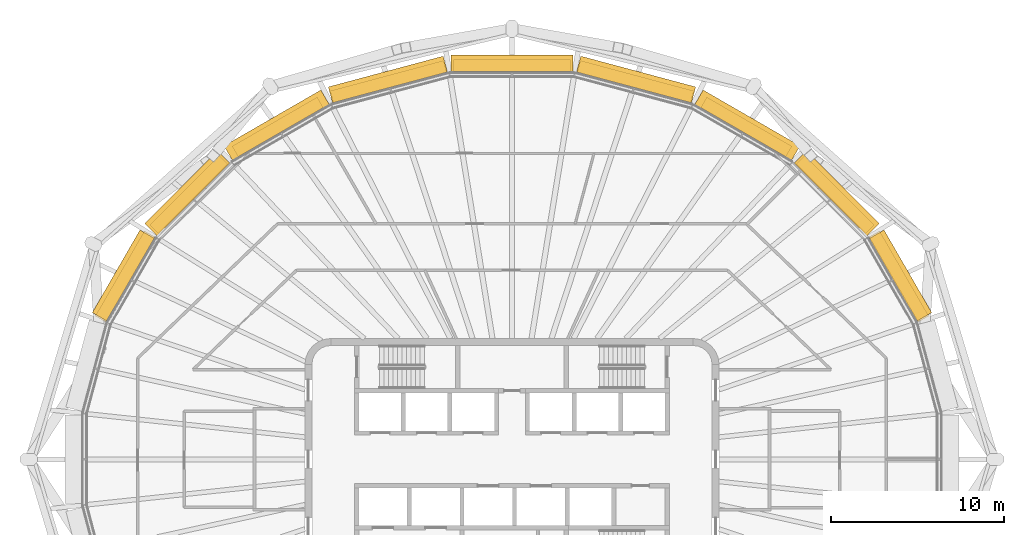
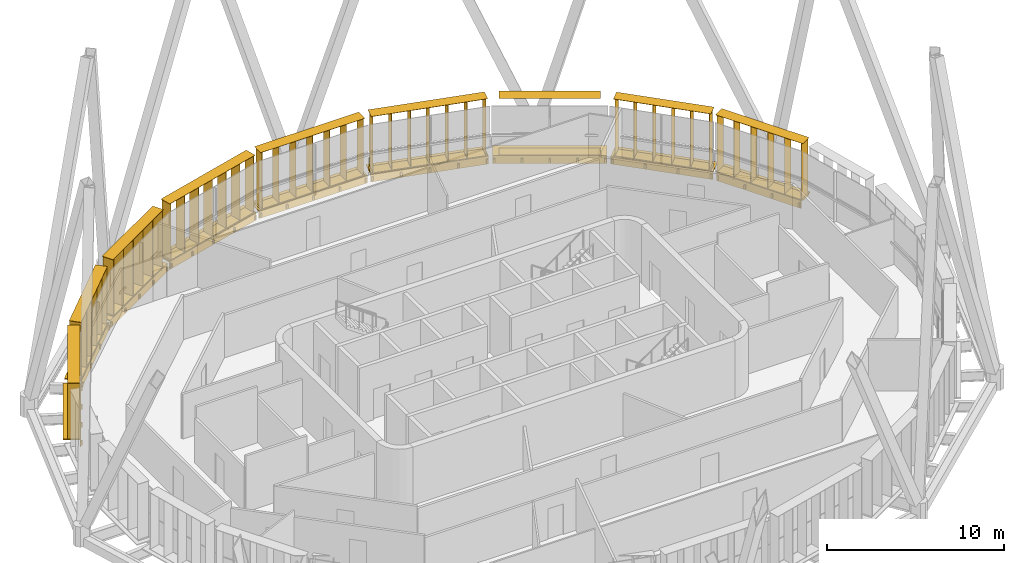
# One storey, part 18 of 18: 18 shading devices.
"""IFC4 building model written with IfcOpenShell, lengths in metres."""

from ifc_helpers import new_model, si_unit, direction, frame, origin, origin_2d, place, context, subcontext, project, spatial, rectangle, extrude, material, type_object, element, save


model = new_model("IFC4")

# Units and contexts
model_context = context("Model", 3, precision=1e-05, world=origin(), true_north=direction((0.0, 1.0)))
body_context = subcontext(model_context, "Body", "Model", "MODEL_VIEW")
ifc_project = project(units=[si_unit("LENGTHUNIT", "METRE"), si_unit("AREAUNIT", "SQUARE_METRE"), si_unit("VOLUMEUNIT", "CUBIC_METRE"), si_unit("PLANEANGLEUNIT", "RADIAN"), si_unit("MASSUNIT", "GRAM", prefix="KILO")], contexts=[model_context])

# Site, building, storey
site_placement = place(None, origin())
site = spatial("IfcSite", under=ifc_project, at=site_placement, CompositionType="ELEMENT")
building_placement = place(site_placement, origin())
building = spatial("IfcBuilding", under=site, at=building_placement, Name="Sahrelin Media Tower", CompositionType="ELEMENT")
storey_placement = place(building_placement, frame((0.0, 0.0, 316.39990234375)))
storey = spatial("IfcBuildingStorey", under=building, at=storey_placement, Name="L70", CompositionType="ELEMENT", Elevation=316.39990234375)

# Shading devices
ifc_material = material(Name="Champagne anodised aluminium 6063-T6", Category="aluminium")
shading_device_type_1 = type_object("IfcShadingDeviceType", Name="Fin cassette", PredefinedType="USERDEFINED", material=ifc_material)
placement_1 = place(storey_placement, frame((22.0615234375, 10.3876953125, 0.0), z_axis=(0.0, 0.0, 1.0), x_axis=(0.500011000363, -0.866019052629, 0.0)))
element("IfcShadingDevice", 1, at=placement_1, inside=storey, type_object=shading_device_type_1, Name="L70:FIN:L70-02", ObjectType="FIN", PredefinedType="USERDEFINED", context=body_context, shape_type="SweptSolid", body=[
    extrude(rectangle(XDim=5.699951171875, YDim=0.699951171875, at=origin_2d()), frame((0.0, 0.419921875, 0.0)), (0.0, 0.0, 1.0), 0.02001953125),
    extrude(rectangle(XDim=5.699951171875, YDim=0.699951171875, at=origin_2d()), frame((0.0, 0.419921875, 3.89990234375)), (0.0, 0.0, 1.0), 0.02001953125),
    extrude(rectangle(XDim=0.02001953125, YDim=0.699951171875, at=origin_2d()), frame((-2.75, 0.419921875, 0.010009765625), z_axis=(0.0, 0.0, 1.0), x_axis=(1.0, 0.0, 0.0)), (0.0, 0.0, 1.0), 3.89990234375),
    extrude(rectangle(XDim=0.02001953125, YDim=0.699951171875, at=origin_2d()), frame((-1.64990234375, 0.419921875, 0.010009765625), z_axis=(0.0, 0.0, 1.0), x_axis=(1.0, 0.0, 0.0)), (0.0, 0.0, 1.0), 3.89990234375),
    extrude(rectangle(XDim=0.02001953125, YDim=0.699951171875, at=origin_2d()), frame((-0.550048828125, 0.419921875, 0.010009765625), z_axis=(0.0, 0.0, 1.0), x_axis=(1.0, 0.0, 0.0)), (0.0, 0.0, 1.0), 3.89990234375),
    extrude(rectangle(XDim=0.02001953125, YDim=0.699951171875, at=origin_2d()), frame((0.550048828125, 0.419921875, 0.010009765625), z_axis=(0.0, 0.0, 1.0), x_axis=(1.0, 0.0, 0.0)), (0.0, 0.0, 1.0), 3.89990234375),
    extrude(rectangle(XDim=0.02001953125, YDim=0.699951171875, at=origin_2d()), frame((1.64990234375, 0.419921875, 0.010009765625), z_axis=(0.0, 0.0, 1.0), x_axis=(1.0, 0.0, 0.0)), (0.0, 0.0, 1.0), 3.89990234375),
    extrude(rectangle(XDim=0.02001953125, YDim=0.699951171875, at=origin_2d()), frame((2.75, 0.419921875, 0.010009765625), z_axis=(0.0, 0.0, 1.0), x_axis=(1.0, 0.0, 0.0)), (0.0, 0.0, 1.0), 3.89990234375),
])
placement_2 = place(storey_placement, frame((18.447509765625, 15.04931640625, 0.0), z_axis=(0.0, 0.0, 1.0), x_axis=(0.707106781187, -0.707106781187, 0.0)))
element("IfcShadingDevice", 2, at=placement_2, inside=storey, type_object=shading_device_type_1, Name="L70:FIN:L70-03", ObjectType="FIN", PredefinedType="USERDEFINED", context=body_context, shape_type="SweptSolid", body=[
    extrude(rectangle(XDim=5.699951171875, YDim=0.699951171875, at=origin_2d()), frame((0.0, 0.419921875, 0.0)), (0.0, 0.0, 1.0), 0.02001953125),
    extrude(rectangle(XDim=5.699951171875, YDim=0.699951171875, at=origin_2d()), frame((0.0, 0.419921875, 3.89990234375)), (0.0, 0.0, 1.0), 0.02001953125),
    extrude(rectangle(XDim=0.02001953125, YDim=0.699951171875, at=origin_2d()), frame((-2.75, 0.419921875, 0.010009765625), z_axis=(0.0, 0.0, 1.0), x_axis=(1.0, 0.0, 0.0)), (0.0, 0.0, 1.0), 3.89990234375),
    extrude(rectangle(XDim=0.02001953125, YDim=0.699951171875, at=origin_2d()), frame((-1.64990234375, 0.419921875, 0.010009765625), z_axis=(0.0, 0.0, 1.0), x_axis=(1.0, 0.0, 0.0)), (0.0, 0.0, 1.0), 3.89990234375),
    extrude(rectangle(XDim=0.02001953125, YDim=0.699951171875, at=origin_2d()), frame((-0.550048828125, 0.419921875, 0.010009765625), z_axis=(0.0, 0.0, 1.0), x_axis=(1.0, 0.0, 0.0)), (0.0, 0.0, 1.0), 3.89990234375),
    extrude(rectangle(XDim=0.02001953125, YDim=0.699951171875, at=origin_2d()), frame((0.550048828125, 0.419921875, 0.010009765625), z_axis=(0.0, 0.0, 1.0), x_axis=(1.0, 0.0, 0.0)), (0.0, 0.0, 1.0), 3.89990234375),
    extrude(rectangle(XDim=0.02001953125, YDim=0.699951171875, at=origin_2d()), frame((1.64990234375, 0.419921875, 0.010009765625), z_axis=(0.0, 0.0, 1.0), x_axis=(1.0, 0.0, 0.0)), (0.0, 0.0, 1.0), 3.89990234375),
    extrude(rectangle(XDim=0.02001953125, YDim=0.699951171875, at=origin_2d()), frame((2.75, 0.419921875, 0.010009765625), z_axis=(0.0, 0.0, 1.0), x_axis=(1.0, 0.0, 0.0)), (0.0, 0.0, 1.0), 3.89990234375),
])
placement_3 = place(storey_placement, frame((13.372314453125, 18.902099609375, 0.0), z_axis=(0.0, 0.0, 1.0), x_axis=(0.866019052629, -0.500011000363, 0.0)))
element("IfcShadingDevice", 3, at=placement_3, inside=storey, type_object=shading_device_type_1, Name="L70:FIN:L70-04", ObjectType="FIN", PredefinedType="USERDEFINED", context=body_context, shape_type="SweptSolid", body=[
    extrude(rectangle(XDim=5.699951171875, YDim=0.699951171875, at=origin_2d()), frame((0.0, 0.419921875, 0.0)), (0.0, 0.0, 1.0), 0.02001953125),
    extrude(rectangle(XDim=5.699951171875, YDim=0.699951171875, at=origin_2d()), frame((0.0, 0.419921875, 3.89990234375)), (0.0, 0.0, 1.0), 0.02001953125),
    extrude(rectangle(XDim=0.02001953125, YDim=0.699951171875, at=origin_2d()), frame((-2.75, 0.419921875, 0.010009765625), z_axis=(0.0, 0.0, 1.0), x_axis=(1.0, 0.0, 0.0)), (0.0, 0.0, 1.0), 3.89990234375),
    extrude(rectangle(XDim=0.02001953125, YDim=0.699951171875, at=origin_2d()), frame((-1.64990234375, 0.419921875, 0.010009765625), z_axis=(0.0, 0.0, 1.0), x_axis=(1.0, 0.0, 0.0)), (0.0, 0.0, 1.0), 3.89990234375),
    extrude(rectangle(XDim=0.02001953125, YDim=0.699951171875, at=origin_2d()), frame((-0.550048828125, 0.419921875, 0.010009765625), z_axis=(0.0, 0.0, 1.0), x_axis=(1.0, 0.0, 0.0)), (0.0, 0.0, 1.0), 3.89990234375),
    extrude(rectangle(XDim=0.02001953125, YDim=0.699951171875, at=origin_2d()), frame((0.550048828125, 0.419921875, 0.010009765625), z_axis=(0.0, 0.0, 1.0), x_axis=(1.0, 0.0, 0.0)), (0.0, 0.0, 1.0), 3.89990234375),
    extrude(rectangle(XDim=0.02001953125, YDim=0.699951171875, at=origin_2d()), frame((1.64990234375, 0.419921875, 0.010009765625), z_axis=(0.0, 0.0, 1.0), x_axis=(1.0, 0.0, 0.0)), (0.0, 0.0, 1.0), 3.89990234375),
    extrude(rectangle(XDim=0.02001953125, YDim=0.699951171875, at=origin_2d()), frame((2.75, 0.419921875, 0.010009765625), z_axis=(0.0, 0.0, 1.0), x_axis=(1.0, 0.0, 0.0)), (0.0, 0.0, 1.0), 3.89990234375),
])
placement_4 = place(storey_placement, frame((7.0537109375, 21.489990234375, 0.0), z_axis=(0.0, 0.0, 1.0), x_axis=(0.965928857556, -0.258807731996, 0.0)))
element("IfcShadingDevice", 4, at=placement_4, inside=storey, type_object=shading_device_type_1, Name="L70:FIN:L70-05", ObjectType="FIN", PredefinedType="USERDEFINED", context=body_context, shape_type="SweptSolid", body=[
    extrude(rectangle(XDim=6.800048828125, YDim=0.699951171875, at=origin_2d()), frame((0.0, 0.419921875, 0.0)), (0.0, 0.0, 1.0), 0.02001953125),
    extrude(rectangle(XDim=6.800048828125, YDim=0.699951171875, at=origin_2d()), frame((0.0, 0.419921875, 3.89990234375)), (0.0, 0.0, 1.0), 0.02001953125),
    extrude(rectangle(XDim=0.02001953125, YDim=0.699951171875, at=origin_2d()), frame((-3.300048828125, 0.419921875, 0.010009765625), z_axis=(0.0, 0.0, 1.0), x_axis=(1.0, 0.0, 0.0)), (0.0, 0.0, 1.0), 3.89990234375),
    extrude(rectangle(XDim=0.02001953125, YDim=0.699951171875, at=origin_2d()), frame((-2.199951171875, 0.419921875, 0.010009765625), z_axis=(0.0, 0.0, 1.0), x_axis=(1.0, 0.0, 0.0)), (0.0, 0.0, 1.0), 3.89990234375),
    extrude(rectangle(XDim=0.02001953125, YDim=0.699951171875, at=origin_2d()), frame((-1.10009765625, 0.419921875, 0.010009765625), z_axis=(0.0, 0.0, 1.0), x_axis=(1.0, 0.0, 0.0)), (0.0, 0.0, 1.0), 3.89990234375),
    extrude(rectangle(XDim=0.02001953125, YDim=0.699951171875, at=origin_2d()), frame((0.0, 0.419921875, 0.010009765625), z_axis=(0.0, 0.0, 1.0), x_axis=(1.0, 0.0, 0.0)), (0.0, 0.0, 1.0), 3.89990234375),
    extrude(rectangle(XDim=0.02001953125, YDim=0.699951171875, at=origin_2d()), frame((1.10009765625, 0.419921875, 0.010009765625), z_axis=(0.0, 0.0, 1.0), x_axis=(1.0, 0.0, 0.0)), (0.0, 0.0, 1.0), 3.89990234375),
    extrude(rectangle(XDim=0.02001953125, YDim=0.699951171875, at=origin_2d()), frame((2.199951171875, 0.419921875, 0.010009765625), z_axis=(0.0, 0.0, 1.0), x_axis=(1.0, 0.0, 0.0)), (0.0, 0.0, 1.0), 3.89990234375),
    extrude(rectangle(XDim=0.02001953125, YDim=0.699951171875, at=origin_2d()), frame((3.300048828125, 0.419921875, 0.010009765625), z_axis=(0.0, 0.0, 1.0), x_axis=(1.0, 0.0, 0.0)), (0.0, 0.0, 1.0), 3.89990234375),
])
placement_5 = place(storey_placement, frame((0.0, 22.408203125, 0.0), z_axis=(0.0, 0.0, 1.0), x_axis=(1.0, 0.0, 0.0)))
element("IfcShadingDevice", 5, at=placement_5, inside=storey, type_object=shading_device_type_1, Name="L70:FIN:L70-06", ObjectType="FIN", PredefinedType="USERDEFINED", context=body_context, shape_type="SweptSolid", body=[
    extrude(rectangle(XDim=6.800048828125, YDim=0.699951171875, at=origin_2d()), frame((0.0, 0.419921875, 0.0)), (0.0, 0.0, 1.0), 0.02001953125),
    extrude(rectangle(XDim=6.800048828125, YDim=0.699951171875, at=origin_2d()), frame((0.0, 0.419921875, 3.89990234375)), (0.0, 0.0, 1.0), 0.02001953125),
    extrude(rectangle(XDim=0.02001953125, YDim=0.699951171875, at=origin_2d()), frame((-3.300048828125, 0.419921875, 0.010009765625), z_axis=(0.0, 0.0, 1.0), x_axis=(1.0, 0.0, 0.0)), (0.0, 0.0, 1.0), 3.89990234375),
    extrude(rectangle(XDim=0.02001953125, YDim=0.699951171875, at=origin_2d()), frame((-2.199951171875, 0.419921875, 0.010009765625), z_axis=(0.0, 0.0, 1.0), x_axis=(1.0, 0.0, 0.0)), (0.0, 0.0, 1.0), 3.89990234375),
    extrude(rectangle(XDim=0.02001953125, YDim=0.699951171875, at=origin_2d()), frame((-1.10009765625, 0.419921875, 0.010009765625), z_axis=(0.0, 0.0, 1.0), x_axis=(1.0, 0.0, 0.0)), (0.0, 0.0, 1.0), 3.89990234375),
    extrude(rectangle(XDim=0.02001953125, YDim=0.699951171875, at=origin_2d()), frame((0.0, 0.419921875, 0.010009765625), z_axis=(0.0, 0.0, 1.0), x_axis=(1.0, 0.0, 0.0)), (0.0, 0.0, 1.0), 3.89990234375),
    extrude(rectangle(XDim=0.02001953125, YDim=0.699951171875, at=origin_2d()), frame((1.10009765625, 0.419921875, 0.010009765625), z_axis=(0.0, 0.0, 1.0), x_axis=(1.0, 0.0, 0.0)), (0.0, 0.0, 1.0), 3.89990234375),
    extrude(rectangle(XDim=0.02001953125, YDim=0.699951171875, at=origin_2d()), frame((2.199951171875, 0.419921875, 0.010009765625), z_axis=(0.0, 0.0, 1.0), x_axis=(1.0, 0.0, 0.0)), (0.0, 0.0, 1.0), 3.89990234375),
    extrude(rectangle(XDim=0.02001953125, YDim=0.699951171875, at=origin_2d()), frame((3.300048828125, 0.419921875, 0.010009765625), z_axis=(0.0, 0.0, 1.0), x_axis=(1.0, 0.0, 0.0)), (0.0, 0.0, 1.0), 3.89990234375),
])
placement_6 = place(storey_placement, frame((-7.0537109375, 21.489990234375, 0.0), z_axis=(0.0, 0.0, 1.0), x_axis=(0.965928857556, 0.258807731996, 0.0)))
element("IfcShadingDevice", 6, at=placement_6, inside=storey, type_object=shading_device_type_1, Name="L70:FIN:L70-07", ObjectType="FIN", PredefinedType="USERDEFINED", context=body_context, shape_type="SweptSolid", body=[
    extrude(rectangle(XDim=6.800048828125, YDim=0.699951171875, at=origin_2d()), frame((0.0, 0.419921875, 0.0)), (0.0, 0.0, 1.0), 0.02001953125),
    extrude(rectangle(XDim=6.800048828125, YDim=0.699951171875, at=origin_2d()), frame((0.0, 0.419921875, 3.89990234375)), (0.0, 0.0, 1.0), 0.02001953125),
    extrude(rectangle(XDim=0.02001953125, YDim=0.699951171875, at=origin_2d()), frame((-3.300048828125, 0.419921875, 0.010009765625), z_axis=(0.0, 0.0, 1.0), x_axis=(1.0, 0.0, 0.0)), (0.0, 0.0, 1.0), 3.89990234375),
    extrude(rectangle(XDim=0.02001953125, YDim=0.699951171875, at=origin_2d()), frame((-2.199951171875, 0.419921875, 0.010009765625), z_axis=(0.0, 0.0, 1.0), x_axis=(1.0, 0.0, 0.0)), (0.0, 0.0, 1.0), 3.89990234375),
    extrude(rectangle(XDim=0.02001953125, YDim=0.699951171875, at=origin_2d()), frame((-1.10009765625, 0.419921875, 0.010009765625), z_axis=(0.0, 0.0, 1.0), x_axis=(1.0, 0.0, 0.0)), (0.0, 0.0, 1.0), 3.89990234375),
    extrude(rectangle(XDim=0.02001953125, YDim=0.699951171875, at=origin_2d()), frame((0.0, 0.419921875, 0.010009765625), z_axis=(0.0, 0.0, 1.0), x_axis=(1.0, 0.0, 0.0)), (0.0, 0.0, 1.0), 3.89990234375),
    extrude(rectangle(XDim=0.02001953125, YDim=0.699951171875, at=origin_2d()), frame((1.10009765625, 0.419921875, 0.010009765625), z_axis=(0.0, 0.0, 1.0), x_axis=(1.0, 0.0, 0.0)), (0.0, 0.0, 1.0), 3.89990234375),
    extrude(rectangle(XDim=0.02001953125, YDim=0.699951171875, at=origin_2d()), frame((2.199951171875, 0.419921875, 0.010009765625), z_axis=(0.0, 0.0, 1.0), x_axis=(1.0, 0.0, 0.0)), (0.0, 0.0, 1.0), 3.89990234375),
    extrude(rectangle(XDim=0.02001953125, YDim=0.699951171875, at=origin_2d()), frame((3.300048828125, 0.419921875, 0.010009765625), z_axis=(0.0, 0.0, 1.0), x_axis=(1.0, 0.0, 0.0)), (0.0, 0.0, 1.0), 3.89990234375),
])
placement_7 = place(storey_placement, frame((-13.372314453125, 18.902099609375, 0.0), z_axis=(0.0, 0.0, 1.0), x_axis=(0.866019052629, 0.500011000363, 0.0)))
element("IfcShadingDevice", 7, at=placement_7, inside=storey, type_object=shading_device_type_1, Name="L70:FIN:L70-08", ObjectType="FIN", PredefinedType="USERDEFINED", context=body_context, shape_type="SweptSolid", body=[
    extrude(rectangle(XDim=5.699951171875, YDim=0.699951171875, at=origin_2d()), frame((0.0, 0.419921875, 0.0)), (0.0, 0.0, 1.0), 0.02001953125),
    extrude(rectangle(XDim=5.699951171875, YDim=0.699951171875, at=origin_2d()), frame((0.0, 0.419921875, 3.89990234375)), (0.0, 0.0, 1.0), 0.02001953125),
    extrude(rectangle(XDim=0.02001953125, YDim=0.699951171875, at=origin_2d()), frame((-2.75, 0.419921875, 0.010009765625), z_axis=(0.0, 0.0, 1.0), x_axis=(1.0, 0.0, 0.0)), (0.0, 0.0, 1.0), 3.89990234375),
    extrude(rectangle(XDim=0.02001953125, YDim=0.699951171875, at=origin_2d()), frame((-1.64990234375, 0.419921875, 0.010009765625), z_axis=(0.0, 0.0, 1.0), x_axis=(1.0, 0.0, 0.0)), (0.0, 0.0, 1.0), 3.89990234375),
    extrude(rectangle(XDim=0.02001953125, YDim=0.699951171875, at=origin_2d()), frame((-0.550048828125, 0.419921875, 0.010009765625), z_axis=(0.0, 0.0, 1.0), x_axis=(1.0, 0.0, 0.0)), (0.0, 0.0, 1.0), 3.89990234375),
    extrude(rectangle(XDim=0.02001953125, YDim=0.699951171875, at=origin_2d()), frame((0.550048828125, 0.419921875, 0.010009765625), z_axis=(0.0, 0.0, 1.0), x_axis=(1.0, 0.0, 0.0)), (0.0, 0.0, 1.0), 3.89990234375),
    extrude(rectangle(XDim=0.02001953125, YDim=0.699951171875, at=origin_2d()), frame((1.64990234375, 0.419921875, 0.010009765625), z_axis=(0.0, 0.0, 1.0), x_axis=(1.0, 0.0, 0.0)), (0.0, 0.0, 1.0), 3.89990234375),
    extrude(rectangle(XDim=0.02001953125, YDim=0.699951171875, at=origin_2d()), frame((2.75, 0.419921875, 0.010009765625), z_axis=(0.0, 0.0, 1.0), x_axis=(1.0, 0.0, 0.0)), (0.0, 0.0, 1.0), 3.89990234375),
])
placement_8 = place(storey_placement, frame((-18.447509765625, 15.049560546875, 0.0), z_axis=(0.0, 0.0, 1.0), x_axis=(0.707106781187, 0.707106781187, 0.0)))
element("IfcShadingDevice", 8, at=placement_8, inside=storey, type_object=shading_device_type_1, Name="L70:FIN:L70-09", ObjectType="FIN", PredefinedType="USERDEFINED", context=body_context, shape_type="SweptSolid", body=[
    extrude(rectangle(XDim=5.699951171875, YDim=0.699951171875, at=origin_2d()), frame((0.0, 0.419921875, 0.0)), (0.0, 0.0, 1.0), 0.02001953125),
    extrude(rectangle(XDim=5.699951171875, YDim=0.699951171875, at=origin_2d()), frame((0.0, 0.419921875, 3.89990234375)), (0.0, 0.0, 1.0), 0.02001953125),
    extrude(rectangle(XDim=0.02001953125, YDim=0.699951171875, at=origin_2d()), frame((-2.75, 0.419921875, 0.010009765625), z_axis=(0.0, 0.0, 1.0), x_axis=(1.0, 0.0, 0.0)), (0.0, 0.0, 1.0), 3.89990234375),
    extrude(rectangle(XDim=0.02001953125, YDim=0.699951171875, at=origin_2d()), frame((-1.64990234375, 0.419921875, 0.010009765625), z_axis=(0.0, 0.0, 1.0), x_axis=(1.0, 0.0, 0.0)), (0.0, 0.0, 1.0), 3.89990234375),
    extrude(rectangle(XDim=0.02001953125, YDim=0.699951171875, at=origin_2d()), frame((-0.550048828125, 0.419921875, 0.010009765625), z_axis=(0.0, 0.0, 1.0), x_axis=(1.0, 0.0, 0.0)), (0.0, 0.0, 1.0), 3.89990234375),
    extrude(rectangle(XDim=0.02001953125, YDim=0.699951171875, at=origin_2d()), frame((0.550048828125, 0.419921875, 0.010009765625), z_axis=(0.0, 0.0, 1.0), x_axis=(1.0, 0.0, 0.0)), (0.0, 0.0, 1.0), 3.89990234375),
    extrude(rectangle(XDim=0.02001953125, YDim=0.699951171875, at=origin_2d()), frame((1.64990234375, 0.419921875, 0.010009765625), z_axis=(0.0, 0.0, 1.0), x_axis=(1.0, 0.0, 0.0)), (0.0, 0.0, 1.0), 3.89990234375),
    extrude(rectangle(XDim=0.02001953125, YDim=0.699951171875, at=origin_2d()), frame((2.75, 0.419921875, 0.010009765625), z_axis=(0.0, 0.0, 1.0), x_axis=(1.0, 0.0, 0.0)), (0.0, 0.0, 1.0), 3.89990234375),
])
placement_9 = place(storey_placement, frame((-22.0615234375, 10.387451171875, 0.0), z_axis=(0.0, 0.0, 1.0), x_axis=(0.500011000363, 0.866019052629, 0.0)))
element("IfcShadingDevice", 9, at=placement_9, inside=storey, type_object=shading_device_type_1, Name="L70:FIN:L70-10", ObjectType="FIN", PredefinedType="USERDEFINED", context=body_context, shape_type="SweptSolid", body=[
    extrude(rectangle(XDim=5.699951171875, YDim=0.699951171875, at=origin_2d()), frame((0.0, 0.419921875, 0.0)), (0.0, 0.0, 1.0), 0.02001953125),
    extrude(rectangle(XDim=5.699951171875, YDim=0.699951171875, at=origin_2d()), frame((0.0, 0.419921875, 3.89990234375)), (0.0, 0.0, 1.0), 0.02001953125),
    extrude(rectangle(XDim=0.02001953125, YDim=0.699951171875, at=origin_2d()), frame((-2.75, 0.419921875, 0.010009765625), z_axis=(0.0, 0.0, 1.0), x_axis=(1.0, 0.0, 0.0)), (0.0, 0.0, 1.0), 3.89990234375),
    extrude(rectangle(XDim=0.02001953125, YDim=0.699951171875, at=origin_2d()), frame((-1.64990234375, 0.419921875, 0.010009765625), z_axis=(0.0, 0.0, 1.0), x_axis=(1.0, 0.0, 0.0)), (0.0, 0.0, 1.0), 3.89990234375),
    extrude(rectangle(XDim=0.02001953125, YDim=0.699951171875, at=origin_2d()), frame((-0.550048828125, 0.419921875, 0.010009765625), z_axis=(0.0, 0.0, 1.0), x_axis=(1.0, 0.0, 0.0)), (0.0, 0.0, 1.0), 3.89990234375),
    extrude(rectangle(XDim=0.02001953125, YDim=0.699951171875, at=origin_2d()), frame((0.550048828125, 0.419921875, 0.010009765625), z_axis=(0.0, 0.0, 1.0), x_axis=(1.0, 0.0, 0.0)), (0.0, 0.0, 1.0), 3.89990234375),
    extrude(rectangle(XDim=0.02001953125, YDim=0.699951171875, at=origin_2d()), frame((1.64990234375, 0.419921875, 0.010009765625), z_axis=(0.0, 0.0, 1.0), x_axis=(1.0, 0.0, 0.0)), (0.0, 0.0, 1.0), 3.89990234375),
    extrude(rectangle(XDim=0.02001953125, YDim=0.699951171875, at=origin_2d()), frame((2.75, 0.419921875, 0.010009765625), z_axis=(0.0, 0.0, 1.0), x_axis=(1.0, 0.0, 0.0)), (0.0, 0.0, 1.0), 3.89990234375),
])
shading_device_type_2 = type_object("IfcShadingDeviceType", Name="Sunshade band", PredefinedType="USERDEFINED", material=ifc_material)
element("IfcShadingDevice", 10, at=placement_1, inside=storey, type_object=shading_device_type_2, Name="L70:SUN:L70-02", ObjectType="SUNSHADE", PredefinedType="USERDEFINED", context=body_context, shape_type="SweptSolid", body=[
    extrude(rectangle(XDim=5.525634765625, YDim=0.050048828125, at=origin_2d()), frame((0.0, 0.044921875, -0.55126953125)), (0.0, 0.0, 1.0), 0.471435546875),
    extrude(rectangle(XDim=5.525634765625, YDim=1.0, at=origin_2d()), frame((0.0, 0.52001953125, -0.080078125)), (0.0, 0.0, 1.0), 0.080078125),
    extrude(rectangle(XDim=0.10009765625, YDim=0.074951171875, at=origin_2d()), frame((-2.662841796875, -0.017578125, -0.47021484375)), (0.0, 0.0, 1.0), 0.300048828125),
    extrude(rectangle(XDim=0.10009765625, YDim=0.074951171875, at=origin_2d()), frame((-0.8876953125, -0.017578125, -0.47021484375)), (0.0, 0.0, 1.0), 0.300048828125),
    extrude(rectangle(XDim=0.10009765625, YDim=0.074951171875, at=origin_2d()), frame((0.8876953125, -0.017578125, -0.47021484375)), (0.0, 0.0, 1.0), 0.300048828125),
    extrude(rectangle(XDim=0.10009765625, YDim=0.074951171875, at=origin_2d()), frame((2.662841796875, -0.017578125, -0.47021484375)), (0.0, 0.0, 1.0), 0.300048828125),
])
element("IfcShadingDevice", 11, at=placement_2, inside=storey, type_object=shading_device_type_2, Name="L70:SUN:L70-03", ObjectType="SUNSHADE", PredefinedType="USERDEFINED", context=body_context, shape_type="SweptSolid", body=[
    extrude(rectangle(XDim=5.973388671875, YDim=0.050048828125, at=origin_2d()), frame((0.0, 0.044921875, -0.55126953125)), (0.0, 0.0, 1.0), 0.471435546875),
    extrude(rectangle(XDim=5.973388671875, YDim=1.0, at=origin_2d()), frame((0.0, 0.52001953125, -0.080078125)), (0.0, 0.0, 1.0), 0.080078125),
    extrude(rectangle(XDim=0.10009765625, YDim=0.074951171875, at=origin_2d()), frame((-2.88671875, -0.017578125, -0.47021484375)), (0.0, 0.0, 1.0), 0.300048828125),
    extrude(rectangle(XDim=0.10009765625, YDim=0.074951171875, at=origin_2d()), frame((-0.962158203125, -0.017578125, -0.47021484375)), (0.0, 0.0, 1.0), 0.300048828125),
    extrude(rectangle(XDim=0.10009765625, YDim=0.074951171875, at=origin_2d()), frame((0.962158203125, -0.017578125, -0.47021484375)), (0.0, 0.0, 1.0), 0.300048828125),
    extrude(rectangle(XDim=0.10009765625, YDim=0.074951171875, at=origin_2d()), frame((2.88671875, -0.017578125, -0.47021484375)), (0.0, 0.0, 1.0), 0.300048828125),
])
element("IfcShadingDevice", 12, at=placement_3, inside=storey, type_object=shading_device_type_2, Name="L70:SUN:L70-04", ObjectType="SUNSHADE", PredefinedType="USERDEFINED", context=body_context, shape_type="SweptSolid", body=[
    extrude(rectangle(XDim=6.47998046875, YDim=0.050048828125, at=origin_2d()), frame((0.0, 0.044921875, -0.55126953125)), (0.0, 0.0, 1.0), 0.471435546875),
    extrude(rectangle(XDim=6.47998046875, YDim=1.0, at=origin_2d()), frame((0.0, 0.52001953125, -0.080078125)), (0.0, 0.0, 1.0), 0.080078125),
    extrude(rectangle(XDim=0.10009765625, YDim=0.074951171875, at=origin_2d()), frame((-3.139892578125, -0.017578125, -0.47021484375)), (0.0, 0.0, 1.0), 0.300048828125),
    extrude(rectangle(XDim=0.10009765625, YDim=0.074951171875, at=origin_2d()), frame((-1.570068359375, -0.017578125, -0.47021484375)), (0.0, 0.0, 1.0), 0.300048828125),
    extrude(rectangle(XDim=0.10009765625, YDim=0.074951171875, at=origin_2d()), frame((0.0, -0.017578125, -0.47021484375)), (0.0, 0.0, 1.0), 0.300048828125),
    extrude(rectangle(XDim=0.10009765625, YDim=0.074951171875, at=origin_2d()), frame((1.570068359375, -0.017578125, -0.47021484375)), (0.0, 0.0, 1.0), 0.300048828125),
    extrude(rectangle(XDim=0.10009765625, YDim=0.074951171875, at=origin_2d()), frame((3.139892578125, -0.017578125, -0.47021484375)), (0.0, 0.0, 1.0), 0.300048828125),
])
element("IfcShadingDevice", 13, at=placement_4, inside=storey, type_object=shading_device_type_2, Name="L70:SUN:L70-05", ObjectType="SUNSHADE", PredefinedType="USERDEFINED", context=body_context, shape_type="SweptSolid", body=[
    extrude(rectangle(XDim=6.893798828125, YDim=0.050048828125, at=origin_2d()), frame((0.0, 0.044921875, -0.55126953125)), (0.0, 0.0, 1.0), 0.471435546875),
    extrude(rectangle(XDim=6.893798828125, YDim=1.0, at=origin_2d()), frame((0.0, 0.52001953125, -0.080078125)), (0.0, 0.0, 1.0), 0.080078125),
    extrude(rectangle(XDim=0.10009765625, YDim=0.074951171875, at=origin_2d()), frame((-3.346923828125, -0.017578125, -0.47021484375)), (0.0, 0.0, 1.0), 0.300048828125),
    extrude(rectangle(XDim=0.10009765625, YDim=0.074951171875, at=origin_2d()), frame((-1.673583984375, -0.017578125, -0.47021484375)), (0.0, 0.0, 1.0), 0.300048828125),
    extrude(rectangle(XDim=0.10009765625, YDim=0.074951171875, at=origin_2d()), frame((0.0, -0.017578125, -0.47021484375)), (0.0, 0.0, 1.0), 0.300048828125),
    extrude(rectangle(XDim=0.10009765625, YDim=0.074951171875, at=origin_2d()), frame((1.673583984375, -0.017578125, -0.47021484375)), (0.0, 0.0, 1.0), 0.300048828125),
    extrude(rectangle(XDim=0.10009765625, YDim=0.074951171875, at=origin_2d()), frame((3.346923828125, -0.017578125, -0.47021484375)), (0.0, 0.0, 1.0), 0.300048828125),
])
element("IfcShadingDevice", 14, at=placement_5, inside=storey, type_object=shading_device_type_2, Name="L70:SUN:L70-06", ObjectType="SUNSHADE", PredefinedType="USERDEFINED", context=body_context, shape_type="SweptSolid", body=[
    extrude(rectangle(XDim=7.055419921875, YDim=0.050048828125, at=origin_2d()), frame((0.0, 0.044921875, -0.55126953125)), (0.0, 0.0, 1.0), 0.471435546875),
    extrude(rectangle(XDim=7.055419921875, YDim=1.0, at=origin_2d()), frame((0.0, 0.52001953125, -0.080078125)), (0.0, 0.0, 1.0), 0.080078125),
    extrude(rectangle(XDim=0.10009765625, YDim=0.074951171875, at=origin_2d()), frame((-3.427734375, -0.017578125, -0.47021484375)), (0.0, 0.0, 1.0), 0.300048828125),
    extrude(rectangle(XDim=0.10009765625, YDim=0.074951171875, at=origin_2d()), frame((-1.7138671875, -0.017578125, -0.47021484375)), (0.0, 0.0, 1.0), 0.300048828125),
    extrude(rectangle(XDim=0.10009765625, YDim=0.074951171875, at=origin_2d()), frame((0.0, -0.017578125, -0.47021484375)), (0.0, 0.0, 1.0), 0.300048828125),
    extrude(rectangle(XDim=0.10009765625, YDim=0.074951171875, at=origin_2d()), frame((1.7138671875, -0.017578125, -0.47021484375)), (0.0, 0.0, 1.0), 0.300048828125),
    extrude(rectangle(XDim=0.10009765625, YDim=0.074951171875, at=origin_2d()), frame((3.427734375, -0.017578125, -0.47021484375)), (0.0, 0.0, 1.0), 0.300048828125),
])
element("IfcShadingDevice", 15, at=placement_6, inside=storey, type_object=shading_device_type_2, Name="L70:SUN:L70-07", ObjectType="SUNSHADE", PredefinedType="USERDEFINED", context=body_context, shape_type="SweptSolid", body=[
    extrude(rectangle(XDim=6.893798828125, YDim=0.050048828125, at=origin_2d()), frame((0.0, 0.044921875, -0.55126953125)), (0.0, 0.0, 1.0), 0.471435546875),
    extrude(rectangle(XDim=6.893798828125, YDim=1.0, at=origin_2d()), frame((0.0, 0.52001953125, -0.080078125)), (0.0, 0.0, 1.0), 0.080078125),
    extrude(rectangle(XDim=0.10009765625, YDim=0.074951171875, at=origin_2d()), frame((-3.346923828125, -0.017578125, -0.47021484375)), (0.0, 0.0, 1.0), 0.300048828125),
    extrude(rectangle(XDim=0.10009765625, YDim=0.074951171875, at=origin_2d()), frame((-1.673583984375, -0.017578125, -0.47021484375)), (0.0, 0.0, 1.0), 0.300048828125),
    extrude(rectangle(XDim=0.10009765625, YDim=0.074951171875, at=origin_2d()), frame((0.0, -0.017578125, -0.47021484375)), (0.0, 0.0, 1.0), 0.300048828125),
    extrude(rectangle(XDim=0.10009765625, YDim=0.074951171875, at=origin_2d()), frame((1.673583984375, -0.017578125, -0.47021484375)), (0.0, 0.0, 1.0), 0.300048828125),
    extrude(rectangle(XDim=0.10009765625, YDim=0.074951171875, at=origin_2d()), frame((3.346923828125, -0.017578125, -0.47021484375)), (0.0, 0.0, 1.0), 0.300048828125),
])
element("IfcShadingDevice", 16, at=placement_7, inside=storey, type_object=shading_device_type_2, Name="L70:SUN:L70-08", ObjectType="SUNSHADE", PredefinedType="USERDEFINED", context=body_context, shape_type="SweptSolid", body=[
    extrude(rectangle(XDim=6.47998046875, YDim=0.050048828125, at=origin_2d()), frame((0.0, 0.044921875, -0.55126953125)), (0.0, 0.0, 1.0), 0.471435546875),
    extrude(rectangle(XDim=6.47998046875, YDim=1.0, at=origin_2d()), frame((0.0, 0.52001953125, -0.080078125)), (0.0, 0.0, 1.0), 0.080078125),
    extrude(rectangle(XDim=0.10009765625, YDim=0.074951171875, at=origin_2d()), frame((-3.139892578125, -0.017578125, -0.47021484375)), (0.0, 0.0, 1.0), 0.300048828125),
    extrude(rectangle(XDim=0.10009765625, YDim=0.074951171875, at=origin_2d()), frame((-1.570068359375, -0.017578125, -0.47021484375)), (0.0, 0.0, 1.0), 0.300048828125),
    extrude(rectangle(XDim=0.10009765625, YDim=0.074951171875, at=origin_2d()), frame((0.0, -0.017578125, -0.47021484375)), (0.0, 0.0, 1.0), 0.300048828125),
    extrude(rectangle(XDim=0.10009765625, YDim=0.074951171875, at=origin_2d()), frame((1.570068359375, -0.017578125, -0.47021484375)), (0.0, 0.0, 1.0), 0.300048828125),
    extrude(rectangle(XDim=0.10009765625, YDim=0.074951171875, at=origin_2d()), frame((3.139892578125, -0.017578125, -0.47021484375)), (0.0, 0.0, 1.0), 0.300048828125),
])
element("IfcShadingDevice", 17, at=placement_8, inside=storey, type_object=shading_device_type_2, Name="L70:SUN:L70-09", ObjectType="SUNSHADE", PredefinedType="USERDEFINED", context=body_context, shape_type="SweptSolid", body=[
    extrude(rectangle(XDim=5.973388671875, YDim=0.050048828125, at=origin_2d()), frame((0.0, 0.044921875, -0.55126953125)), (0.0, 0.0, 1.0), 0.471435546875),
    extrude(rectangle(XDim=5.973388671875, YDim=1.0, at=origin_2d()), frame((0.0, 0.52001953125, -0.080078125)), (0.0, 0.0, 1.0), 0.080078125),
    extrude(rectangle(XDim=0.10009765625, YDim=0.074951171875, at=origin_2d()), frame((-2.88671875, -0.017578125, -0.47021484375)), (0.0, 0.0, 1.0), 0.300048828125),
    extrude(rectangle(XDim=0.10009765625, YDim=0.074951171875, at=origin_2d()), frame((-0.962158203125, -0.017578125, -0.47021484375)), (0.0, 0.0, 1.0), 0.300048828125),
    extrude(rectangle(XDim=0.10009765625, YDim=0.074951171875, at=origin_2d()), frame((0.962158203125, -0.017578125, -0.47021484375)), (0.0, 0.0, 1.0), 0.300048828125),
    extrude(rectangle(XDim=0.10009765625, YDim=0.074951171875, at=origin_2d()), frame((2.88671875, -0.017578125, -0.47021484375)), (0.0, 0.0, 1.0), 0.300048828125),
])
element("IfcShadingDevice", 18, at=placement_9, inside=storey, type_object=shading_device_type_2, Name="L70:SUN:L70-10", ObjectType="SUNSHADE", PredefinedType="USERDEFINED", context=body_context, shape_type="SweptSolid", body=[
    extrude(rectangle(XDim=5.525634765625, YDim=0.050048828125, at=origin_2d()), frame((0.0, 0.044921875, -0.55126953125)), (0.0, 0.0, 1.0), 0.471435546875),
    extrude(rectangle(XDim=5.525634765625, YDim=1.0, at=origin_2d()), frame((0.0, 0.52001953125, -0.080078125)), (0.0, 0.0, 1.0), 0.080078125),
    extrude(rectangle(XDim=0.10009765625, YDim=0.074951171875, at=origin_2d()), frame((-2.662841796875, -0.017578125, -0.47021484375)), (0.0, 0.0, 1.0), 0.300048828125),
    extrude(rectangle(XDim=0.10009765625, YDim=0.074951171875, at=origin_2d()), frame((-0.8876953125, -0.017578125, -0.47021484375)), (0.0, 0.0, 1.0), 0.300048828125),
    extrude(rectangle(XDim=0.10009765625, YDim=0.074951171875, at=origin_2d()), frame((0.8876953125, -0.017578125, -0.47021484375)), (0.0, 0.0, 1.0), 0.300048828125),
    extrude(rectangle(XDim=0.10009765625, YDim=0.074951171875, at=origin_2d()), frame((2.662841796875, -0.017578125, -0.47021484375)), (0.0, 0.0, 1.0), 0.300048828125),
])

save(model, "model.ifc")
